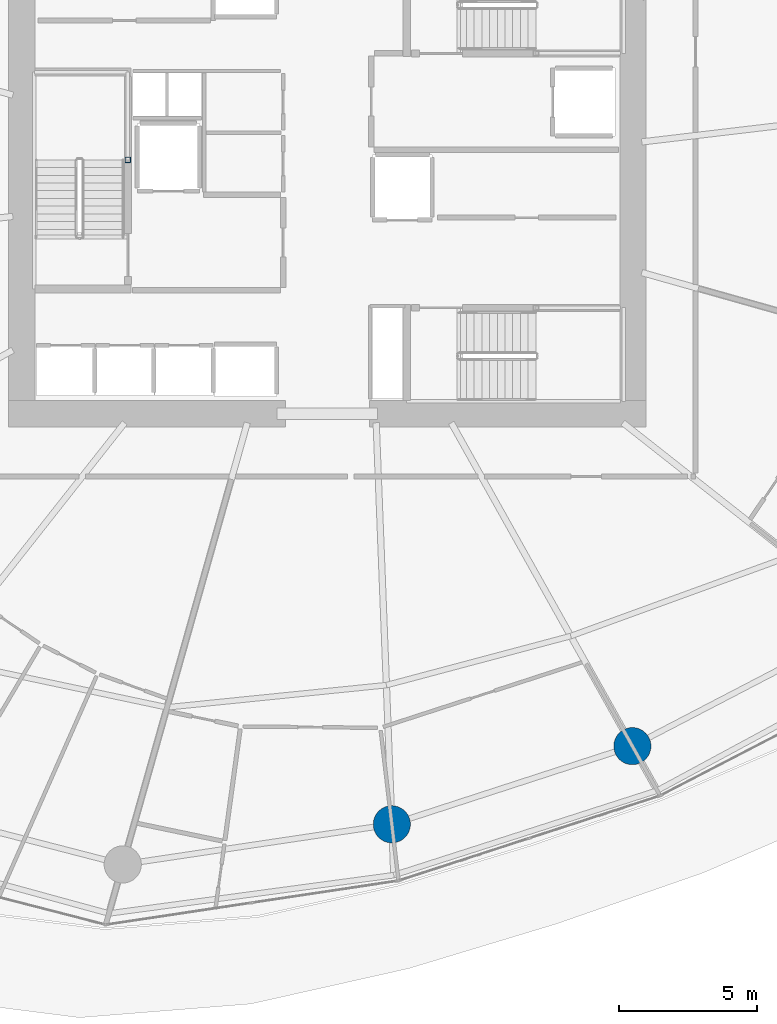
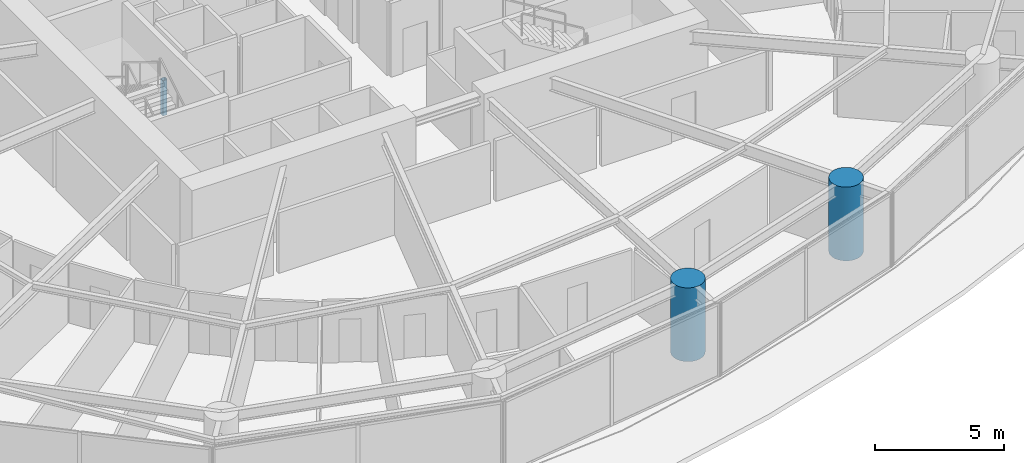
# One storey, part 2 of 22: 3 columns.
"""IFC4 building model written with IfcOpenShell, lengths in metres."""

from ifc_helpers import new_model, si_unit, direction, frame, origin, origin_2d, place, context, subcontext, project, spatial, hollow_rectangle, circle, extrude, material, material_profile, profile_set, type_object, element, save


model = new_model("IFC4")

# Units and contexts
model_context = context("Model", 3, precision=1e-05, world=origin(), true_north=direction((0.0, 1.0)))
body_context = subcontext(model_context, "Body", "Model", "MODEL_VIEW")
ifc_project = project(units=[si_unit("LENGTHUNIT", "METRE"), si_unit("AREAUNIT", "SQUARE_METRE"), si_unit("VOLUMEUNIT", "CUBIC_METRE"), si_unit("PLANEANGLEUNIT", "RADIAN"), si_unit("MASSUNIT", "GRAM", prefix="KILO")], contexts=[model_context])

# Site, building, storey
site_placement = place(None, origin())
site = spatial("IfcSite", under=ifc_project, at=site_placement, CompositionType="ELEMENT")
building_placement = place(site_placement, origin())
building = spatial("IfcBuilding", under=site, at=building_placement, Name="Kazma Halo Residences", CompositionType="ELEMENT")
storey_placement = place(building_placement, frame((0.0, 0.0, 26.39990234375)))
storey = spatial("IfcBuildingStorey", under=building, at=storey_placement, Name="L05", CompositionType="ELEMENT", Elevation=26.39990234375)

# Columns
ifc_material_1 = material(Name="Steel S355", Category="steel")
ifc_material_profile_1 = material_profile(ifc_material_1, hollow_rectangle(XDim=0.199951171875, YDim=0.199951171875, WallThickness=0.010009765625, InnerFilletRadius=0.010009765625, OuterFilletRadius=0.02001953125, at=origin_2d()), Name="SHS200x200x10")
ifc_profile_set_1 = profile_set([ifc_material_profile_1], Name="Steel S355")
column_type_1 = type_object("IfcColumnType", Name="COL-LP-SHS200", PredefinedType="COLUMN", material=ifc_profile_set_1)
column_placement = place(storey_placement, frame((41.179931640625, 42.75, 0.0), z_axis=(0.0, 0.0, 1.0), x_axis=(1.0, 0.0, 0.0)))
element("IfcColumn", 1, at=column_placement, inside=storey, type_object=column_type_1, Name="L05 ST-01 landing pilaster 1", PredefinedType="COLUMN", context=body_context, shape_type="SweptSolid", body=[
    extrude(hollow_rectangle(XDim=0.199951171875, YDim=0.199951171875, WallThickness=0.010009765625, InnerFilletRadius=0.010009765625, OuterFilletRadius=0.02001953125, at=origin_2d()), origin(), (0.0, 0.0, 1.0), 1.670166015625),
])
ifc_material_2 = material(Name="Concrete C80/95", Category="concrete")
ifc_material_profile_2 = material_profile(ifc_material_2, circle(Radius=0.675048828125, at=origin_2d()), Name="CIRC1350")
ifc_profile_set_2 = profile_set([ifc_material_profile_2], Name="Concrete C80/95")
column_type_2 = type_object("IfcColumnType", Name="COL-PERIM-1350", PredefinedType="COLUMN", material=ifc_profile_set_2)
for number, where, z_axis, x_axis, name in (
    (2, (50.768310546875, 18.610595703125, 0.0), (0.0, 0.0, 1.0), (1.0, 0.0, 0.0), "L05 perimeter ring column P12"),
    (3, (59.50830078125, 21.450439453125, 0.0), (0.0, 0.0, 1.0), (1.0, 0.0, 0.0), "L05 perimeter ring column P13"),
):
    element("IfcColumn", number, at=place(storey_placement, frame(where, z_axis=z_axis, x_axis=x_axis)), inside=storey, type_object=column_type_2, Name=name, PredefinedType="COLUMN", context=body_context, shape_type="SweptSolid", body=[
        extrude(circle(Radius=0.675048828125, at=origin_2d()), origin(), (0.0, 0.0, 1.0), 3.5),
    ])

save(model, "model.ifc")
